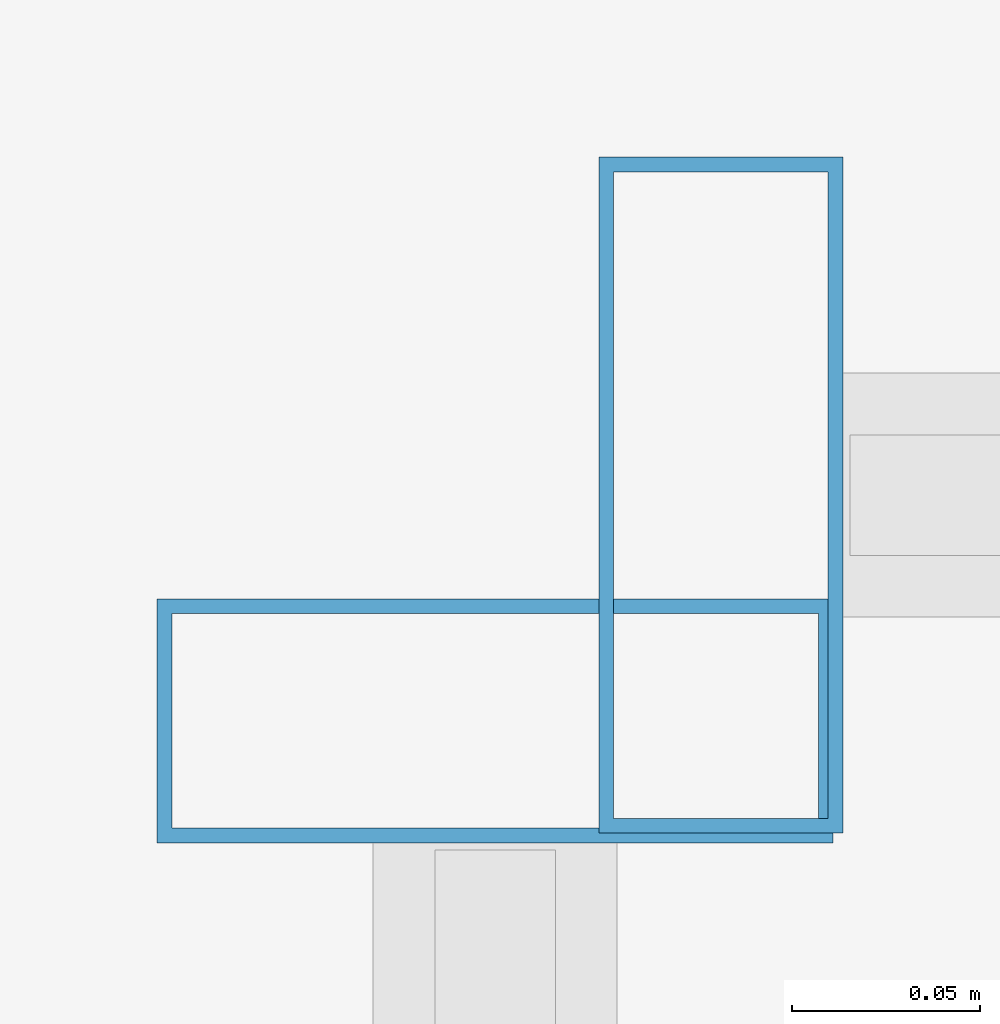
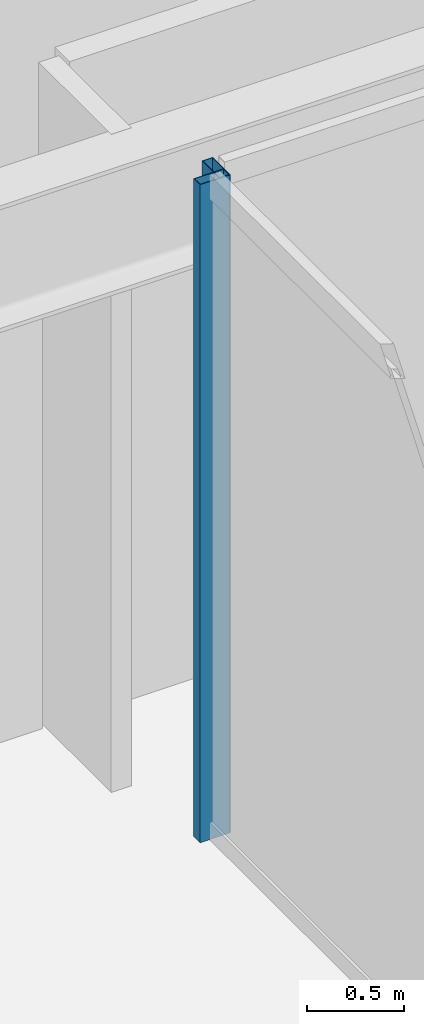
# One storey, part 24 of 47: 2 members, 2 elements without a shape of their own.
"""IFC4 building model written with IfcOpenShell, lengths in metres."""

from ifc_helpers import new_model, si_unit, direction, frame, origin, origin_2d, place, context, subcontext, project, spatial, hollow_rectangle, extrude, material, material_profile, profile_set, type_object, element, aggregate, save


model = new_model("IFC4")

# Units and contexts
model_context = context("Model", 3, precision=1e-05, world=origin(), true_north=direction((0.0, 1.0)))
body_context = subcontext(model_context, "Body", "Model", "MODEL_VIEW")
ifc_project = project(units=[si_unit("LENGTHUNIT", "METRE"), si_unit("AREAUNIT", "SQUARE_METRE"), si_unit("VOLUMEUNIT", "CUBIC_METRE"), si_unit("PLANEANGLEUNIT", "RADIAN"), si_unit("MASSUNIT", "GRAM", prefix="KILO")], contexts=[model_context])

# Site, building, storey
site_placement = place(None, origin())
site = spatial("IfcSite", under=ifc_project, at=site_placement, CompositionType="ELEMENT")
building_placement = place(site_placement, origin())
building = spatial("IfcBuilding", under=site, at=building_placement, Name="Saevonmaru Cultural Tower", CompositionType="ELEMENT")
storey_placement = place(building_placement, frame((0.0, 0.0, 60.39990234375)))
storey = spatial("IfcBuildingStorey", under=building, at=storey_placement, Name="L12", CompositionType="ELEMENT", Elevation=60.39990234375)

# Curtain wall, member
ifc_material = material(Name="Satin Bronze Anodised Aluminium", Category="aluminium")
curtain_wall_type = type_object("IfcCurtainWallType", Name="CW-ATR-GLZ", PredefinedType="NOTDEFINED", material=ifc_material)
curtain_wall_1_placement = place(storey_placement, origin())
curtain_wall_1 = element("IfcCurtainWall", 1, at=curtain_wall_1_placement, inside=storey, type_object=curtain_wall_type, Name="L12 Vertical Atrium Glazed Smoke Screen 3", PredefinedType="NOTDEFINED")
ifc_material_profile = material_profile(ifc_material, hollow_rectangle(XDim=0.06494140625, YDim=0.179931640625, WallThickness=0.00390625, at=origin_2d()), Name="ALU-MULL-180x65x4")
ifc_profile_set = profile_set([ifc_material_profile], Name="Satin Bronze Anodised Aluminium")
member_type = type_object("IfcMemberType", Name="ML-CW-INT-180x65", PredefinedType="MULLION", material=ifc_profile_set)
member_1_placement = place(storey_placement, frame((24.110107421875, 38.070068359375, 0.0), z_axis=(0.0, 0.0, 1.0), x_axis=(-1.0, 0.0, 0.0)))
member_1 = element("IfcMember", 2, at=member_1_placement, type_object=member_type, Name="CW-ATR-L12-3 mullion 2", PredefinedType="MULLION", context=body_context, shape_type="SweptSolid", body=[
    extrude(hollow_rectangle(XDim=0.06494140625, YDim=0.179931640625, WallThickness=0.00390625, at=origin_2d()), origin(), (0.0, 0.0, 1.0), 4.150146484375),
])
aggregate(curtain_wall_1, [member_1])

curtain_wall_2_placement = place(storey_placement, origin())
curtain_wall_2 = element("IfcCurtainWall", 3, at=curtain_wall_2_placement, inside=storey, type_object=curtain_wall_type, Name="L12 Vertical Atrium Glazed Smoke Screen 4", PredefinedType="NOTDEFINED")
member_2_placement = place(storey_placement, frame((24.050048828125, 38.010009765625, 0.0), z_axis=(0.0, 0.0, 1.0), x_axis=(0.0, -1.0, 0.0)))
member_2 = element("IfcMember", 4, at=member_2_placement, type_object=member_type, Name="CW-ATR-L12-4 mullion 1", PredefinedType="MULLION", context=body_context, shape_type="SweptSolid", body=[
    extrude(hollow_rectangle(XDim=0.06494140625, YDim=0.179931640625, WallThickness=0.00390625, at=origin_2d()), origin(), (0.0, 0.0, 1.0), 4.150146484375),
])
aggregate(curtain_wall_2, [member_2])

save(model, "model.ifc")
